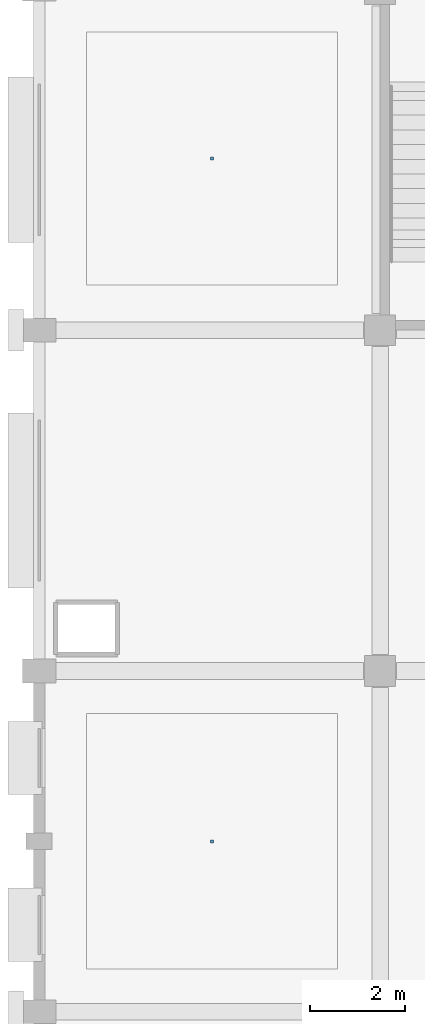
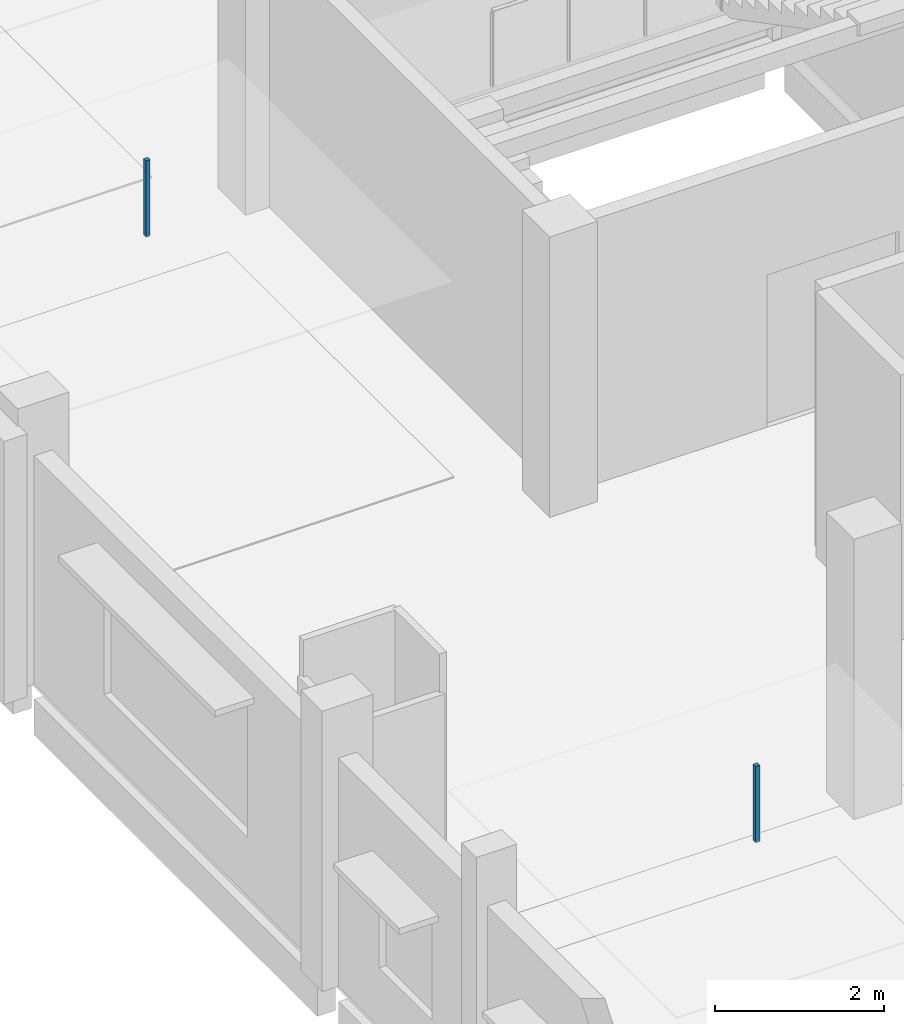
# One storey, part 48 of 59: 2 discrete accessories.
"""IFC4 building model written with IfcOpenShell, lengths in metres."""

from ifc_helpers import new_model, si_unit, direction, frame, origin, origin_2d, place, context, subcontext, project, spatial, rectangle, extrude, material, type_object, element, save


model = new_model("IFC4")

# Units and contexts
model_context = context("Model", 3, precision=1e-05, world=origin(), true_north=direction((0.0, 1.0)))
body_context = subcontext(model_context, "Body", "Model", "MODEL_VIEW")
ifc_project = project(units=[si_unit("LENGTHUNIT", "METRE"), si_unit("AREAUNIT", "SQUARE_METRE"), si_unit("VOLUMEUNIT", "CUBIC_METRE"), si_unit("PLANEANGLEUNIT", "RADIAN"), si_unit("MASSUNIT", "GRAM", prefix="KILO")], contexts=[model_context])

# Site, building, storey
site_placement = place(None, origin())
site = spatial("IfcSite", under=ifc_project, at=site_placement, CompositionType="ELEMENT")
building_placement = place(site_placement, origin())
building = spatial("IfcBuilding", under=site, at=building_placement, Name="Kangsadwip Square Police Headquarters", CompositionType="ELEMENT")
storey_placement = place(building_placement, frame((0.0, 0.0, 21.60009765625)))
storey = spatial("IfcBuildingStorey", under=building, at=storey_placement, Name="L05", CompositionType="ELEMENT", Elevation=21.60009765625)

# Discrete accessories
ifc_material = material(Name="Structural steel IS 2062 E350 (Grade 350, 350 MPa)", Category="steel")
discrete_accessory_type = type_object("IfcDiscreteAccessoryType", Name="VeilOutriggerBracket", PredefinedType="BRACKET", material=ifc_material)
for number, where, z_axis, x_axis, name in (
    (1, (3.64990234375, 61.199951171875, 2.809814453125), (0.0, 0.0, 1.0), (1.0, 0.0, 0.0), "Ceiling Suspension Hanger L05-140"),
    (2, (3.64990234375, 75.625, 2.809814453125), (0.0, 0.0, 1.0), (1.0, 0.0, 0.0), "Ceiling Suspension Hanger L05-141"),
):
    element("IfcDiscreteAccessory", number, at=place(storey_placement, frame(where, z_axis=z_axis, x_axis=x_axis)), inside=storey, type_object=discrete_accessory_type, Name=name, PredefinedType="BRACKET", context=body_context, shape_type="SweptSolid", body=[
        extrude(rectangle(XDim=0.06005859375, YDim=0.06005859375, at=origin_2d()), origin(), (0.0, 0.0, 1.0), 1.10009765625),
    ])

save(model, "model.ifc")
